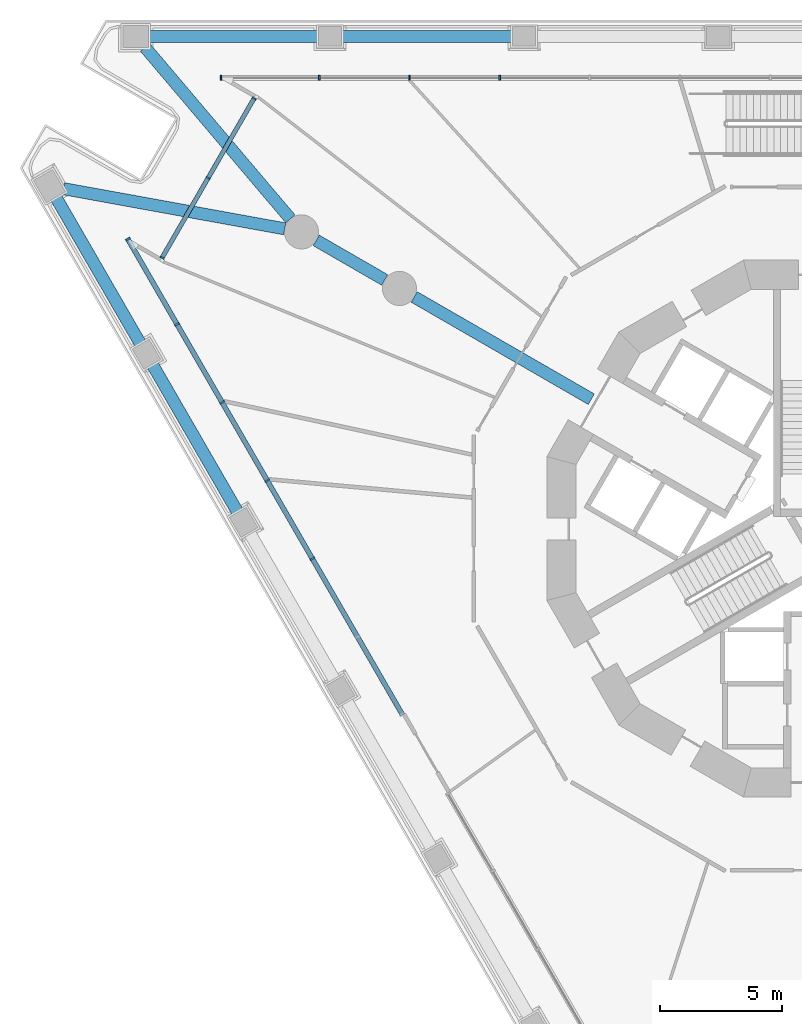
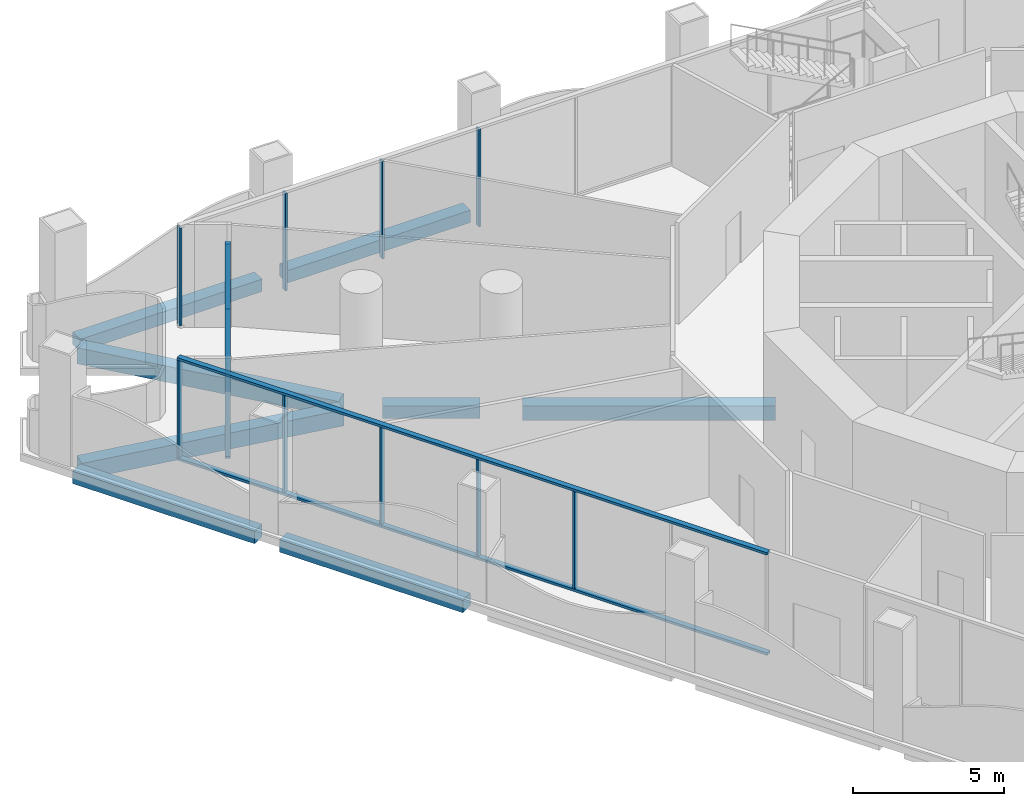
# One storey, part 5 of 21: 16 members, 8 beams, 3 elements without a shape of their own.
"""IFC4 building model written with IfcOpenShell, lengths in metres."""

from ifc_helpers import new_model, si_unit, direction, frame, origin, origin_2d, place, context, subcontext, project, spatial, rectangle, extrude, material, layer, layer_set, material_profile, profile_set, type_object, element, aggregate, save


model = new_model("IFC4")

# Units and contexts
model_context = context("Model", 3, precision=1e-05, world=origin(), true_north=direction((0.0, 1.0)))
body_context = subcontext(model_context, "Body", "Model", "MODEL_VIEW")
ifc_project = project(units=[si_unit("LENGTHUNIT", "METRE"), si_unit("AREAUNIT", "SQUARE_METRE"), si_unit("VOLUMEUNIT", "CUBIC_METRE"), si_unit("PLANEANGLEUNIT", "RADIAN"), si_unit("MASSUNIT", "GRAM", prefix="KILO")], contexts=[model_context])

# Site, building, storey
site_placement = place(None, origin())
site = spatial("IfcSite", under=ifc_project, at=site_placement, CompositionType="ELEMENT")
building_placement = place(site_placement, origin())
building = spatial("IfcBuilding", under=site, at=building_placement, Name="Trine Commons Tower", CompositionType="ELEMENT")
storey_placement = place(building_placement, frame((0.0, 0.0, 13.5)))
storey = spatial("IfcBuildingStorey", under=building, at=storey_placement, Name="L02", CompositionType="ELEMENT", Elevation=13.5)

# Curtain wall, members
ifc_material_1 = material(Name="Corner pocket glazing: anodised aluminium frame with low-emissivity double glazed unit, laminated", Category="aluminium")
ifc_layer_1 = layer(ifc_material_1, 0.179931640625)
ifc_layer_set_1 = layer_set([ifc_layer_1], Name="Corner pocket glazing: anodised aluminium frame with low-emissivity double glazed unit, laminated")
curtain_wall_type_1 = type_object("IfcCurtainWallType", Name="Corner pocket glazing curtain wall CW8", PredefinedType="NOTDEFINED", material=ifc_layer_set_1)
curtain_wall_1_placement = place(storey_placement, origin())
curtain_wall_1 = element("IfcCurtainWall", 1, at=curtain_wall_1_placement, inside=storey, type_object=curtain_wall_type_1, Name="Corner pocket glazing L02 P1.1", PredefinedType="NOTDEFINED")
ifc_material_2 = material(Name="Anodised aluminium, bronze finish", Category="aluminium")
ifc_material_profile_1 = material_profile(ifc_material_2, rectangle(XDim=0.179931640625, YDim=0.06494140625, at=origin_2d()), Name="Mullion 65x180")
ifc_profile_set_1 = profile_set([ifc_material_profile_1], Name="Anodised aluminium, bronze finish")
member_type_1 = type_object("IfcMemberType", Name="Mullion 65x180, Anodised aluminium, bronze finish", PredefinedType="MULLION", material=ifc_profile_set_1)
member_1_placement = place(storey_placement, frame((53.2099609375, 73.616943359375, 0.090087890625), z_axis=(0.0, 0.0, 1.0), x_axis=(-0.866025403784, 0.5, 0.0)))
member_1 = element("IfcMember", 2, at=member_1_placement, type_object=member_type_1, Name="CW8 mullion 1.1", PredefinedType="MULLION", context=body_context, shape_type="SweptSolid", body=[
    extrude(rectangle(XDim=0.179931640625, YDim=0.06494140625, at=origin_2d()), origin(), (0.0, 0.0, 1.0), 3.2998046875),
])
member_2_placement = place(storey_placement, frame((55.09375, 76.879638671875, 0.090087890625), z_axis=(0.0, 0.0, 1.0), x_axis=(-0.866025403784, 0.5, 0.0)))
member_2 = element("IfcMember", 3, at=member_2_placement, type_object=member_type_1, Name="CW8 mullion 2.1", PredefinedType="MULLION", context=body_context, shape_type="SweptSolid", body=[
    extrude(rectangle(XDim=0.179931640625, YDim=0.06494140625, at=origin_2d()), origin(), (0.0, 0.0, 1.0), 3.2998046875),
])
member_3_placement = place(storey_placement, frame((56.9775390625, 80.142333984375, 0.090087890625), z_axis=(0.0, 0.0, 1.0), x_axis=(-0.866025403784, 0.5, 0.0)))
member_3 = element("IfcMember", 4, at=member_3_placement, type_object=member_type_1, Name="CW8 mullion 3.1", PredefinedType="MULLION", context=body_context, shape_type="SweptSolid", body=[
    extrude(rectangle(XDim=0.179931640625, YDim=0.06494140625, at=origin_2d()), origin(), (0.0, 0.0, 1.0), 3.2998046875),
])

ifc_material_3 = material(Name="Podium glazing: anodised aluminium frame with low-emissivity double glazed unit", Category="aluminium")
ifc_layer_2 = layer(ifc_material_3, 0.199951171875)
ifc_layer_set_2 = layer_set([ifc_layer_2], Name="Podium glazing: anodised aluminium frame with low-emissivity double glazed unit")
curtain_wall_type_2 = type_object("IfcCurtainWallType", Name="Podium glazing curtain wall CW3", PredefinedType="NOTDEFINED", material=ifc_layer_set_2)
curtain_wall_2_placement = place(storey_placement, origin())
curtain_wall_2 = element("IfcCurtainWall", 5, at=curtain_wall_2_placement, inside=storey, type_object=curtain_wall_type_2, Name="Podium glazing L02 F1.1", PredefinedType="NOTDEFINED")
ifc_material_profile_2 = material_profile(ifc_material_2, rectangle(XDim=0.199951171875, YDim=0.074951171875, at=origin_2d()), Name="Mullion 75x200")
ifc_profile_set_2 = profile_set([ifc_material_profile_2], Name="Anodised aluminium, bronze finish")
member_type_2 = type_object("IfcMemberType", Name="Mullion 75x200, Anodised aluminium, bronze finish", PredefinedType="MULLION", material=ifc_profile_set_2)
member_4_placement = place(storey_placement, frame((55.62109375, 80.984619140625, 0.10009765625), z_axis=(0.0, 0.0, 1.0), x_axis=(0.0, 1.0, 0.0)))
member_4 = element("IfcMember", 6, at=member_4_placement, type_object=member_type_2, Name="CW3 mullion 1.1", PredefinedType="MULLION", context=body_context, shape_type="SweptSolid", body=[
    extrude(rectangle(XDim=0.199951171875, YDim=0.074951171875, at=origin_2d()), origin(), (0.0, 0.0, 1.0), 3.949951171875),
])
member_5_placement = place(storey_placement, frame((59.65576171875, 80.984619140625, 0.10009765625), z_axis=(0.0, 0.0, 1.0), x_axis=(0.0, 1.0, 0.0)))
member_5 = element("IfcMember", 7, at=member_5_placement, type_object=member_type_2, Name="CW3 mullion 2.1", PredefinedType="MULLION", context=body_context, shape_type="SweptSolid", body=[
    extrude(rectangle(XDim=0.199951171875, YDim=0.074951171875, at=origin_2d()), origin(), (0.0, 0.0, 1.0), 3.949951171875),
])
member_6_placement = place(storey_placement, frame((63.354736328125, 80.984619140625, 0.10009765625), z_axis=(0.0, 0.0, 1.0), x_axis=(0.0, 1.0, 0.0)))
member_6 = element("IfcMember", 8, at=member_6_placement, type_object=member_type_2, Name="CW3 mullion 3.1", PredefinedType="MULLION", context=body_context, shape_type="SweptSolid", body=[
    extrude(rectangle(XDim=0.199951171875, YDim=0.074951171875, at=origin_2d()), origin(), (0.0, 0.0, 1.0), 3.949951171875),
])
member_7_placement = place(storey_placement, frame((67.0537109375, 80.984619140625, 0.10009765625), z_axis=(0.0, 0.0, 1.0), x_axis=(0.0, 1.0, 0.0)))
member_7 = element("IfcMember", 9, at=member_7_placement, type_object=member_type_2, Name="CW3 mullion 4.1", PredefinedType="MULLION", context=body_context, shape_type="SweptSolid", body=[
    extrude(rectangle(XDim=0.199951171875, YDim=0.074951171875, at=origin_2d()), origin(), (0.0, 0.0, 1.0), 3.949951171875),
])
aggregate(curtain_wall_2, [member_4, member_5, member_6, member_7])

curtain_wall_3_placement = place(storey_placement, origin())
curtain_wall_3 = element("IfcCurtainWall", 10, at=curtain_wall_3_placement, inside=storey, type_object=curtain_wall_type_2, Name="Podium glazing L02 F3.2", PredefinedType="NOTDEFINED")
member_8_placement = place(storey_placement, frame((59.368408203125, 61.265869140625, 0.10009765625), z_axis=(0.0, 0.0, 1.0), x_axis=(-0.866025403784, -0.5, 0.0)))
member_8 = element("IfcMember", 11, at=member_8_placement, type_object=member_type_2, Name="CW3 mullion 3.1", PredefinedType="MULLION", context=body_context, shape_type="SweptSolid", body=[
    extrude(rectangle(XDim=0.199951171875, YDim=0.074951171875, at=origin_2d()), origin(), (0.0, 0.0, 1.0), 3.949951171875),
])
member_9_placement = place(storey_placement, frame((57.518798828125, 64.46923828125, 0.10009765625), z_axis=(0.0, 0.0, 1.0), x_axis=(-0.866025403784, -0.5, 0.0)))
member_9 = element("IfcMember", 12, at=member_9_placement, type_object=member_type_2, Name="CW3 mullion 4.1", PredefinedType="MULLION", context=body_context, shape_type="SweptSolid", body=[
    extrude(rectangle(XDim=0.199951171875, YDim=0.074951171875, at=origin_2d()), origin(), (0.0, 0.0, 1.0), 3.949951171875),
])
member_10_placement = place(storey_placement, frame((55.66943359375, 67.672607421875, 0.10009765625), z_axis=(0.0, 0.0, 1.0), x_axis=(-0.866025403784, -0.5, 0.0)))
member_10 = element("IfcMember", 13, at=member_10_placement, type_object=member_type_2, Name="CW3 mullion 5.1", PredefinedType="MULLION", context=body_context, shape_type="SweptSolid", body=[
    extrude(rectangle(XDim=0.199951171875, YDim=0.074951171875, at=origin_2d()), origin(), (0.0, 0.0, 1.0), 3.949951171875),
])
member_11_placement = place(storey_placement, frame((53.820068359375, 70.8759765625, 0.10009765625), z_axis=(0.0, 0.0, 1.0), x_axis=(-0.866025403784, -0.5, 0.0)))
member_11 = element("IfcMember", 14, at=member_11_placement, type_object=member_type_2, Name="CW3 mullion 6.1", PredefinedType="MULLION", context=body_context, shape_type="SweptSolid", body=[
    extrude(rectangle(XDim=0.199951171875, YDim=0.074951171875, at=origin_2d()), origin(), (0.0, 0.0, 1.0), 3.949951171875),
])
member_12_placement = place(storey_placement, frame((51.802490234375, 74.370361328125, 0.10009765625), z_axis=(0.0, 0.0, 1.0), x_axis=(-0.866025403784, -0.5, 0.0)))
member_12 = element("IfcMember", 15, at=member_12_placement, type_object=member_type_2, Name="CW3 mullion 7.1", PredefinedType="MULLION", context=body_context, shape_type="SweptSolid", body=[
    extrude(rectangle(XDim=0.199951171875, YDim=0.074951171875, at=origin_2d()), origin(), (0.0, 0.0, 1.0), 3.949951171875),
])

# Beams
ifc_material_4 = material(Name="Concrete C50/60", Category="concrete")
ifc_material_profile_3 = material_profile(ifc_material_4, rectangle(XDim=0.5, YDim=0.5, at=origin_2d()), Name="RC 500x500")
ifc_profile_set_3 = profile_set([ifc_material_profile_3], Name="Concrete C50/60")
beam_type_1 = type_object("IfcBeamType", Name="RC beam 500x500, C50/60", PredefinedType="BEAM", material=ifc_profile_set_3)
beam_1_placement = place(storey_placement, frame((56.3095703125, 63.163818359375, -0.60009765625), z_axis=(-0.499991645397, 0.866030227263, 0.0), x_axis=(-0.866030227263, -0.499991645397, 0.0)))
element("IfcBeam", 16, at=beam_1_placement, inside=storey, type_object=beam_type_1, Name="Beam EB1-06 L02", PredefinedType="BEAM", context=body_context, shape_type="SweptSolid", body=[
    extrude(rectangle(XDim=0.5, YDim=0.5, at=origin_2d()), origin(), (0.0, 0.0, 1.0), 7.01318359375),
])
for number, where, z_axis, x_axis, name in (
    (17, (52.327880859375, 70.060302734375, -0.60009765625), (-0.49999660792, 0.866027362194, 0.0), (-0.866027362194, -0.49999660792, 0.0), "Beam EB1-07 L02"),
    (18, (52.6533203125, 82.6845703125, -0.60009765625), (1.0, 0.0, 0.0), (0.0, 1.0, 0.0), "Beam EB1-08 L02"),
):
    element("IfcBeam", number, at=place(storey_placement, frame(where, z_axis=z_axis, x_axis=x_axis)), inside=storey, type_object=beam_type_1, Name=name, PredefinedType="BEAM", context=body_context, shape_type="SweptSolid", body=[
        extrude(rectangle(XDim=0.5, YDim=0.5, at=origin_2d()), origin(), (0.0, 0.0, 1.0), 6.96337890625),
    ])
beam_2_placement = place(storey_placement, frame((60.566650390625, 82.6845703125, -0.60009765625), z_axis=(1.0, 0.0, 0.0), x_axis=(0.0, 1.0, 0.0)))
element("IfcBeam", 19, at=beam_2_placement, inside=storey, type_object=beam_type_1, Name="Beam EB1-09 L02", PredefinedType="BEAM", context=body_context, shape_type="SweptSolid", body=[
    extrude(rectangle(XDim=0.5, YDim=0.5, at=origin_2d()), origin(), (0.0, 0.0, 1.0), 7.01318359375),
])
beam_3_placement = place(storey_placement, frame((62.336181640625, 72.697998046875, -0.60009765625), z_axis=(-0.865996235589, 0.500050517394, 0.0), x_axis=(-0.500050517394, -0.865996235589, 0.0)))
element("IfcBeam", 20, at=beam_3_placement, inside=storey, type_object=beam_type_1, Name="Beam RB1-06 L02", PredefinedType="BEAM", context=body_context, shape_type="SweptSolid", body=[
    extrude(rectangle(XDim=0.5, YDim=0.5, at=origin_2d()), origin(), (0.0, 0.0, 1.0), 3.242431640625),
])
ifc_material_profile_4 = material_profile(ifc_material_4, rectangle(XDim=0.5, YDim=0.60009765625, at=origin_2d()), Name="RC 500x600")
ifc_profile_set_4 = profile_set([ifc_material_profile_4], Name="Concrete C50/60")
beam_type_2 = type_object("IfcBeamType", Name="RC beam 500x600, C50/60", PredefinedType="BEAM", material=ifc_profile_set_4)
beam_4_placement = place(storey_placement, frame((70.81005859375, 67.805908203125, -0.64990234375), z_axis=(-0.866038208851, 0.499977820318, 0.0), x_axis=(-0.499977820318, -0.866038208851, 0.0)))
element("IfcBeam", 21, at=beam_4_placement, inside=storey, type_object=beam_type_2, Name="Beam RB1-05 L02", PredefinedType="BEAM", context=body_context, shape_type="SweptSolid", body=[
    extrude(rectangle(XDim=0.5, YDim=0.60009765625, at=origin_2d()), origin(), (0.0, 0.0, 1.0), 8.38623046875),
])
ifc_material_profile_5 = material_profile(ifc_material_4, rectangle(XDim=0.5, YDim=0.64990234375, at=origin_2d()), Name="RC 500x650")
ifc_profile_set_5 = profile_set([ifc_material_profile_5], Name="Concrete C50/60")
beam_type_3 = type_object("IfcBeamType", Name="RC beam 500x650, C50/60", PredefinedType="BEAM", material=ifc_profile_set_5)
for number, where, z_axis, x_axis, name in (
    (22, (49.1640625, 76.440185546875, -0.675048828125), (0.983921563764, -0.178601109628, 0.0), (0.178601109628, 0.983921563764, 0.0), "Beam CB1-01 L02"),
    (23, (52.509521484375, 82.234619140625, -0.675048828125), (0.646611559024, -0.762819435867, 0.0), (0.762819435867, 0.646611559024, 0.0), "Beam CB1-02 L02"),
):
    element("IfcBeam", number, at=place(storey_placement, frame(where, z_axis=z_axis, x_axis=x_axis)), inside=storey, type_object=beam_type_3, Name=name, PredefinedType="BEAM", context=body_context, shape_type="SweptSolid", body=[
        extrude(rectangle(XDim=0.5, YDim=0.64990234375, at=origin_2d()), origin(), (0.0, 0.0, 1.0), 9.21875),
    ])

# Member
ifc_material_profile_6 = material_profile(ifc_material_2, rectangle(XDim=0.199951171875, YDim=0.10009765625, at=origin_2d()), Name="Transom 100x200")
ifc_profile_set_6 = profile_set([ifc_material_profile_6], Name="Anodised aluminium, bronze finish")
member_type_3 = type_object("IfcMemberType", Name="Transom 100x200, Anodised aluminium, bronze finish", PredefinedType="USERDEFINED", material=ifc_profile_set_6)
member_13_placement = place(storey_placement, frame((63.067138671875, 54.859130859375, 0.050048828125), z_axis=(-0.499996215711, 0.866027588634, 0.0), x_axis=(-0.866027588634, -0.499996215711, 0.0)))
member_13 = element("IfcMember", 24, at=member_13_placement, type_object=member_type_3, Name="CW3 transom T00", ObjectType="TRANSOM", PredefinedType="USERDEFINED", context=body_context, shape_type="SweptSolid", body=[
    extrude(rectangle(XDim=0.199951171875, YDim=0.10009765625, at=origin_2d()), origin(), (0.0, 0.0, 1.0), 22.567138671875),
])

member_14_placement = place(storey_placement, frame((63.067138671875, 54.859130859375, 4.10009765625), z_axis=(-0.499996215711, 0.866027588634, 0.0), x_axis=(-0.866027588634, -0.499996215711, 0.0)))
member_14 = element("IfcMember", 25, at=member_14_placement, type_object=member_type_3, Name="CW3 transom TH00", ObjectType="TRANSOM", PredefinedType="USERDEFINED", context=body_context, shape_type="SweptSolid", body=[
    extrude(rectangle(XDim=0.199951171875, YDim=0.10009765625, at=origin_2d()), origin(), (0.0, 0.0, 1.0), 22.567138671875),
])

aggregate(curtain_wall_3, [member_13, member_14, member_8, member_9, member_10, member_11, member_12])

ifc_material_profile_7 = material_profile(ifc_material_2, rectangle(XDim=0.179931640625, YDim=0.090087890625, at=origin_2d()), Name="Transom 90x180")
ifc_profile_set_7 = profile_set([ifc_material_profile_7], Name="Anodised aluminium, bronze finish")
member_type_4 = type_object("IfcMemberType", Name="Transom 90x180, Anodised aluminium, bronze finish", PredefinedType="USERDEFINED", material=ifc_profile_set_7)
member_15_placement = place(storey_placement, frame((53.19384765625, 73.588623046875, 0.044921875), z_axis=(0.500005158081, 0.866022425744, 0.0), x_axis=(-0.866022425744, 0.500005158081, 0.0)))
member_15 = element("IfcMember", 26, at=member_15_placement, type_object=member_type_4, Name="CW8 transom T00", ObjectType="TRANSOM", PredefinedType="USERDEFINED", context=body_context, shape_type="SweptSolid", body=[
    extrude(rectangle(XDim=0.179931640625, YDim=0.090087890625, at=origin_2d()), origin(), (0.0, 0.0, 1.0), 7.60009765625),
])

member_16_placement = place(storey_placement, frame((53.19384765625, 73.588623046875, 3.43505859375), z_axis=(0.500005158081, 0.866022425744, 0.0), x_axis=(-0.866022425744, 0.500005158081, 0.0)))
member_16 = element("IfcMember", 27, at=member_16_placement, type_object=member_type_4, Name="CW8 transom TH00", ObjectType="TRANSOM", PredefinedType="USERDEFINED", context=body_context, shape_type="SweptSolid", body=[
    extrude(rectangle(XDim=0.179931640625, YDim=0.090087890625, at=origin_2d()), origin(), (0.0, 0.0, 1.0), 7.60009765625),
])

aggregate(curtain_wall_1, [member_15, member_16, member_1, member_2, member_3])

save(model, "model.ifc")
